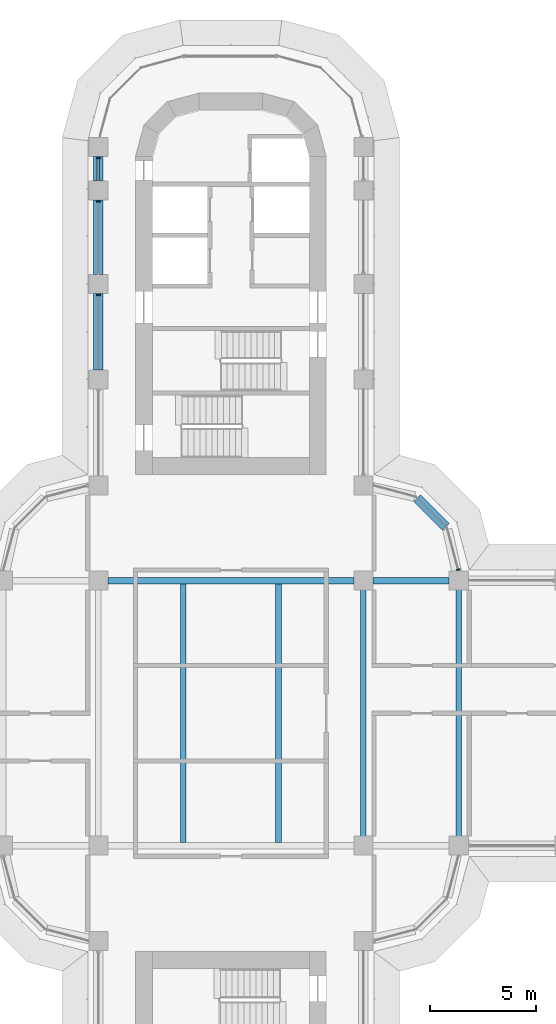
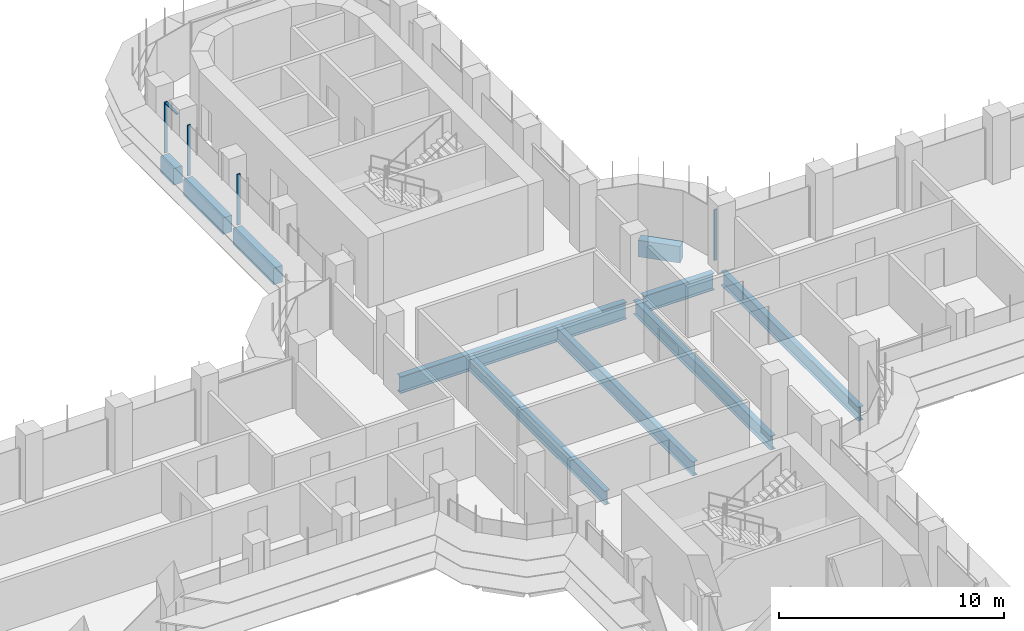
# One storey, part 7 of 22: 10 beams, 5 members, 2 elements without a shape of their own.
"""IFC4 building model written with IfcOpenShell, lengths in metres."""

from ifc_helpers import new_model, si_unit, direction, frame, origin, origin_2d, place, context, subcontext, project, spatial, polyline, rectangle, i_section, outline, extrude, source, transform, mapped, material, material_profile, profile_set, type_object, element, aggregate, save


model = new_model("IFC4")

# Units and contexts
model_context = context("Model", 3, precision=1e-05, world=origin(), true_north=direction((0.0, 1.0)))
body_context = subcontext(model_context, "Body", "Model", "MODEL_VIEW")
ifc_project = project(units=[si_unit("LENGTHUNIT", "METRE"), si_unit("AREAUNIT", "SQUARE_METRE"), si_unit("VOLUMEUNIT", "CUBIC_METRE"), si_unit("PLANEANGLEUNIT", "RADIAN"), si_unit("MASSUNIT", "GRAM", prefix="KILO")], contexts=[model_context])

# Site, building, storey
site_placement = place(None, origin())
site = spatial("IfcSite", under=ifc_project, at=site_placement, CompositionType="ELEMENT")
building_placement = place(site_placement, origin())
building = spatial("IfcBuilding", under=site, at=building_placement, Name="Zarbagh Exchange Tower", CompositionType="ELEMENT")
storey_placement = place(building_placement, frame((0.0, 0.0, 124.60009765625)))
storey = spatial("IfcBuildingStorey", under=building, at=storey_placement, Name="L29", CompositionType="ELEMENT", Elevation=124.60009765625)

# Beams
ifc_material_1 = material(Name="Steel ASTM A992 Gr 50", Category="steel")
ifc_material_profile_1 = material_profile(ifc_material_1, i_section(OverallWidth=0.2666015625, OverallDepth=0.7568359375, WebThickness=0.013916015625, FlangeThickness=0.019287109375, at=origin_2d()), Name="W30X108")
ifc_profile_set_1 = profile_set([ifc_material_profile_1], Name="Steel ASTM A992 Gr 50")
beam_type_1 = type_object("IfcBeamType", Name="Floor beam W30X108", PredefinedType="BEAM", material=ifc_profile_set_1)
for number, where, z_axis, x_axis, name in (
    (1, (-2.25, -6.09765625, -0.528564453125), (0.0, 1.0, 0.0), (-1.0, 0.0, 0.0), "Steel floor beam"),
    (2, (2.25, -6.09765625, -0.528564453125), (0.0, 1.0, 0.0), (-1.0, 0.0, 0.0), "Steel floor beam"),
    (3, (6.25, -6.09765625, -0.528564453125), (0.0, 1.0, 0.0), (-1.0, 0.0, 0.0), "Steel floor beam"),
    (4, (10.75, -6.09765625, -0.528564453125), (0.0, 1.0, 0.0), (-1.0, 0.0, 0.0), "Steel floor beam"),
):
    element("IfcBeam", number, at=place(storey_placement, frame(where, z_axis=z_axis, x_axis=x_axis)), inside=storey, type_object=beam_type_1, Name=name, PredefinedType="BEAM", context=body_context, shape_type="SweptSolid", body=[
        extrude(i_section(OverallWidth=0.2666015625, OverallDepth=0.7568359375, WebThickness=0.013916015625, FlangeThickness=0.019287109375, at=origin_2d()), origin(), (0.0, 0.0, 1.0), 12.1953125),
    ])
ifc_material_profile_2 = material_profile(ifc_material_1, i_section(OverallWidth=0.3046875, OverallDepth=0.911865234375, WebThickness=0.015869140625, FlangeThickness=0.02392578125, at=origin_2d()), Name="W36X150")
ifc_profile_set_2 = profile_set([ifc_material_profile_2], Name="Steel ASTM A992 Gr 50")
beam_type_2 = type_object("IfcBeamType", Name="Floor girder W36X150", PredefinedType="BEAM", material=ifc_profile_set_2)
beam_1_placement = place(storey_placement, frame((-5.800048828125, 6.25, -0.60595703125), z_axis=(1.0, 0.0, 0.0), x_axis=(0.0, 1.0, 0.0)))
element("IfcBeam", 5, at=beam_1_placement, inside=storey, type_object=beam_type_2, Name="Steel girder", PredefinedType="BEAM", context=body_context, shape_type="SweptSolid", body=[
    extrude(i_section(OverallWidth=0.3046875, OverallDepth=0.911865234375, WebThickness=0.015869140625, FlangeThickness=0.02392578125, at=origin_2d()), origin(), (0.0, 0.0, 1.0), 11.60009765625),
])
beam_2_placement = place(storey_placement, frame((6.699951171875, 6.25, -0.60595703125), z_axis=(1.0, 0.0, 0.0), x_axis=(0.0, 1.0, 0.0)))
element("IfcBeam", 6, at=beam_2_placement, inside=storey, type_object=beam_type_2, Name="Steel girder", PredefinedType="BEAM", context=body_context, shape_type="SweptSolid", body=[
    extrude(i_section(OverallWidth=0.3046875, OverallDepth=0.911865234375, WebThickness=0.015869140625, FlangeThickness=0.02392578125, at=origin_2d()), origin(), (0.0, 0.0, 1.0), 3.60009765625),
])
ifc_material_2 = material(Name="Concrete C60/75", Category="concrete")
ifc_material_profile_3 = material_profile(ifc_material_2, rectangle(XDim=0.449951171875, YDim=0.89990234375, at=origin_2d()), Name="RC spandrel beam 450 x 900 C60/75")
ifc_profile_set_3 = profile_set([ifc_material_profile_3], Name="Concrete C60/75")
beam_type_3 = type_object("IfcBeamType", Name="RC spandrel beam 450 x 900 C60/75", PredefinedType="SPANDREL", material=ifc_profile_set_3)
beam_3_placement = place(storey_placement, frame((-6.25, 16.199951171875, -0.60009765625), z_axis=(0.0, 1.0, 0.0), x_axis=(-1.0, 0.0, 0.0)))
element("IfcBeam", 7, at=beam_3_placement, inside=storey, type_object=beam_type_3, Name="RC spandrel beam", PredefinedType="SPANDREL", context=body_context, shape_type="SweptSolid", body=[
    extrude(rectangle(XDim=0.449951171875, YDim=0.89990234375, at=origin_2d()), origin(), (0.0, 0.0, 1.0), 3.60009765625),
])
beam_4_placement = place(storey_placement, frame((-6.25, 20.699951171875, -0.60009765625), z_axis=(0.0, 1.0, 0.0), x_axis=(-1.0, 0.0, 0.0)))
element("IfcBeam", 8, at=beam_4_placement, inside=storey, type_object=beam_type_3, Name="RC spandrel beam", PredefinedType="SPANDREL", context=body_context, shape_type="SweptSolid", body=[
    extrude(rectangle(XDim=0.449951171875, YDim=0.89990234375, at=origin_2d()), origin(), (0.0, 0.0, 1.0), 3.5),
])
beam_5_placement = place(storey_placement, frame((-6.25, 25.10009765625, -0.60009765625), z_axis=(0.0, 1.0, 0.0), x_axis=(-1.0, 0.0, 0.0)))
element("IfcBeam", 9, at=beam_5_placement, inside=storey, type_object=beam_type_3, Name="RC spandrel beam", PredefinedType="SPANDREL", context=body_context, shape_type="SweptSolid", body=[
    extrude(rectangle(XDim=0.449951171875, YDim=0.89990234375, at=origin_2d()), origin(), (0.0, 0.0, 1.0), 1.14990234375),
])
beam_6_placement = place(storey_placement, frame((8.78759765625, 10.15234375, -0.60009765625), z_axis=(0.707106781187, -0.707106781187, 0.0), x_axis=(0.707106781187, 0.707106781187, 0.0)))
element("IfcBeam", 10, at=beam_6_placement, inside=storey, type_object=beam_type_3, Name="RC spandrel beam", PredefinedType="SPANDREL", context=body_context, shape_type="SweptSolid", body=[
    extrude(rectangle(XDim=0.449951171875, YDim=0.89990234375, at=origin_2d()), origin(), (0.0, 0.0, 1.0), 1.929931640625),
])

# Curtain wall, member
ifc_material_3 = material(Name="Anodised aluminium frame and glazing", Category="aluminium")
curtain_wall_type = type_object("IfcCurtainWallType", Name="CWA Ribbon glazing, lower zones", PredefinedType="NOTDEFINED", material=ifc_material_3)
curtain_wall_1_placement = place(storey_placement, origin())
curtain_wall_1 = element("IfcCurtainWall", 11, at=curtain_wall_1_placement, inside=storey, type_object=curtain_wall_type, Name="CWA17 curtain wall", PredefinedType="NOTDEFINED")
ifc_material_4 = material(Name="Anodised aluminium frame", Category="aluminium")
member_type_1 = type_object("IfcMemberType", Name="MUA Mullion, anodised aluminium frame", PredefinedType="MULLION", material=ifc_material_4)
shared_shape_1 = source(origin(), body_context, "Body", "SweptSolid", [
    extrude(outline(polyline([(0.0, -0.080078125), (0.06005859375, -0.080078125), (0.06005859375, 0.080078125), (0.0, 0.080078125), (0.0, -0.080078125)])), origin(), (0.0, 0.0, 1.0), 2.75),
])
placement = place(storey_placement, origin())
member_1 = element("IfcMember", 12, at=placement, type_object=member_type_1, Name="CWA17 mullion 1.1", PredefinedType="MULLION", context=body_context, shape_type="MappedRepresentation", body=[
    mapped(shared_shape_1, transform((10.735107421875, 6.739990234375, 0.0), x_axis=(-0.258824779902, 0.965924289636, 0.0), y_axis=(-0.965924289636, -0.258824779902, 0.0), z_axis=(0.0, 0.0, 1.0))),
])
aggregate(curtain_wall_1, [member_1])

# Curtain wall, members
curtain_wall_2_placement = place(storey_placement, origin())
curtain_wall_2 = element("IfcCurtainWall", 13, at=curtain_wall_2_placement, inside=storey, type_object=curtain_wall_type, Name="CWA56 curtain wall", PredefinedType="NOTDEFINED")
member_2 = element("IfcMember", 14, at=placement, type_object=member_type_1, Name="CWA56 mullion 1.1", PredefinedType="MULLION", context=body_context, shape_type="MappedRepresentation", body=[
    mapped(shared_shape_1, transform((-6.25, 26.2099609375, 0.0), x_axis=(0.0, -1.0, 0.0), y_axis=(1.0, 0.0, 0.0), z_axis=(0.0, 0.0, 1.0))),
])
member_3 = element("IfcMember", 15, at=placement, type_object=member_type_1, Name="CWA56 mullion 2.1", PredefinedType="MULLION", context=body_context, shape_type="MappedRepresentation", body=[
    mapped(shared_shape_1, transform((-6.25, 24.159912109375, 0.0), x_axis=(0.0, -1.0, 0.0), y_axis=(1.0, 0.0, 0.0), z_axis=(0.0, 0.0, 1.0))),
])
member_4 = element("IfcMember", 16, at=placement, type_object=member_type_1, Name="CWA56 mullion 3.1", PredefinedType="MULLION", context=body_context, shape_type="MappedRepresentation", body=[
    mapped(shared_shape_1, transform((-6.25, 19.760009765625, 0.0), x_axis=(0.0, -1.0, 0.0), y_axis=(1.0, 0.0, 0.0), z_axis=(0.0, 0.0, 1.0))),
])
member_type_2 = type_object("IfcMemberType", Name="TRA Transom, anodised aluminium frame", PredefinedType="USERDEFINED", material=ifc_material_4)
shared_shape_2 = source(origin(), body_context, "Body", "SweptSolid", [
    extrude(outline(polyline([(-0.06005859375, -0.06005859375), (0.0, -0.06005859375), (0.0, 0.06005859375), (-0.06005859375, 0.06005859375), (-0.06005859375, -0.06005859375)])), origin(), (0.0, 0.0, 1.0), 1.010009765625),
])
member_5 = element("IfcMember", 17, at=placement, type_object=member_type_2, Name="CWA56 transom 1.1", ObjectType="TRANSOM", PredefinedType="USERDEFINED", context=body_context, shape_type="MappedRepresentation", body=[
    mapped(shared_shape_2, transform((-6.25, 26.14990234375, 2.75), x_axis=(0.0, 0.0, 1.0), y_axis=(-1.0, 0.0, 0.0), z_axis=(0.0, -1.0, 0.0))),
])
aggregate(curtain_wall_2, [member_2, member_5, member_3, member_4])

save(model, "model.ifc")
